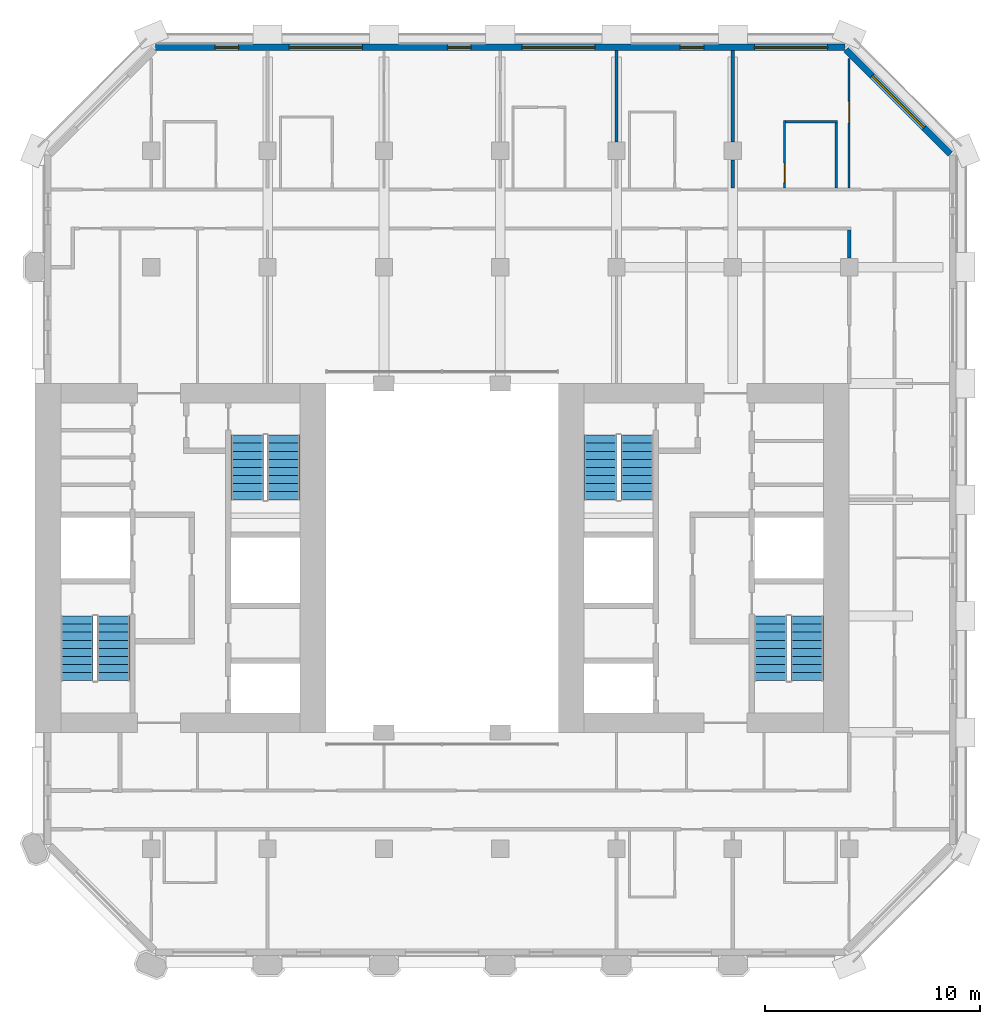
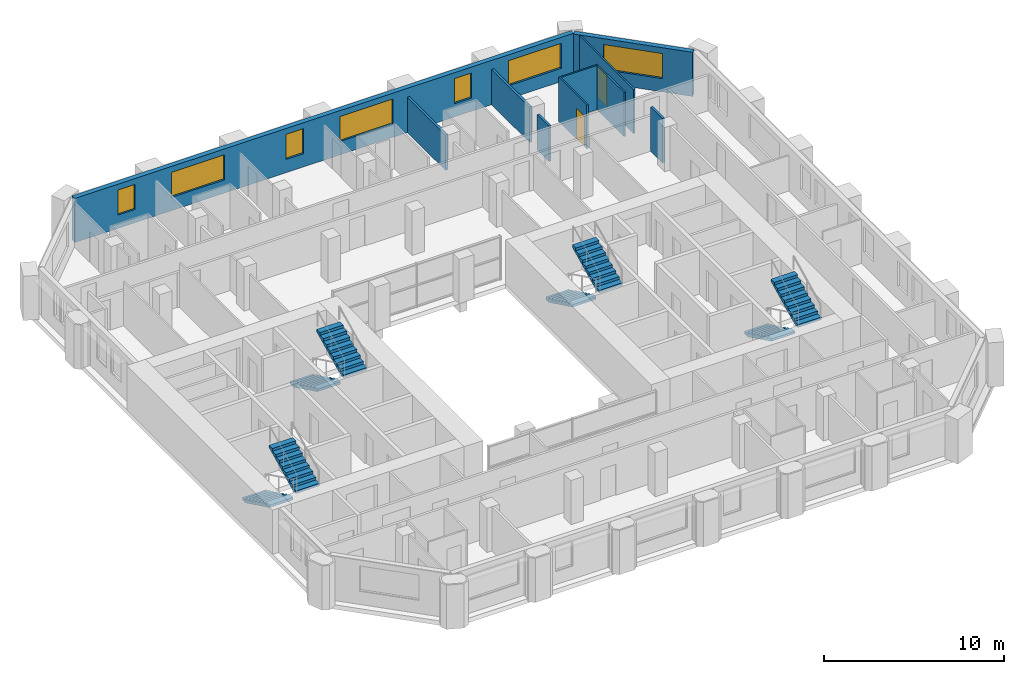
# One storey, part 9 of 12: 10 walls, 8 stair flights, 7 windows, 2 doors, 9 openings, 4 elements without a shape of their own.
"""IFC4 building model written with IfcOpenShell, lengths in metres."""

from ifc_helpers import new_model, si_unit, direction, frame, frame_2d, origin, place, context, subcontext, project, spatial, polyline, rectangle, outline, extrude, material, layer, layer_set, type_object, element, fill, aggregate, save


model = new_model("IFC4")

# Units and contexts
model_context = context("Model", 3, precision=1e-05, world=origin(), true_north=direction((0.0, 1.0)))
body_context = subcontext(model_context, "Body", "Model", "MODEL_VIEW")
ifc_project = project(units=[si_unit("LENGTHUNIT", "METRE"), si_unit("AREAUNIT", "SQUARE_METRE"), si_unit("VOLUMEUNIT", "CUBIC_METRE"), si_unit("PLANEANGLEUNIT", "RADIAN"), si_unit("MASSUNIT", "GRAM", prefix="KILO")], contexts=[model_context])

# Site, building, storey
site_placement = place(None, origin())
site = spatial("IfcSite", under=ifc_project, at=site_placement, CompositionType="ELEMENT")
building_placement = place(site_placement, origin())
building = spatial("IfcBuilding", under=site, at=building_placement, Name="Tabaq Tower and Sports Hall", CompositionType="ELEMENT")
storey_placement = place(building_placement, frame((0.0, 0.0, 193.89990234375)))
storey = spatial("IfcBuildingStorey", under=building, at=storey_placement, Name="L47", CompositionType="ELEMENT", Elevation=193.89990234375)

# Wall, opening, door
ifc_material_1 = material(Name="Gypsum board on steel studs", Category="steel")
ifc_layer_1 = layer(ifc_material_1, 0.10009765625)
ifc_layer_set_1 = layer_set([ifc_layer_1], Name="Partition 100 Gypsum board")
wall_type_1 = type_object("IfcWallType", Name="Partition 100 Gypsum board", PredefinedType="PARTITIONING", material=ifc_layer_set_1)
wall_1_placement = place(storey_placement, frame((40.199951171875, 41.47509765625, 0.0), z_axis=(0.0, 0.0, 1.0), x_axis=(0.0, 1.0, 0.0)))
wall_1 = element("IfcWall", 1, at=wall_1_placement, inside=storey, type_object=wall_type_1, Name="Partition wall L47", PredefinedType="PARTITIONING", context=body_context, shape_type="SweptSolid", body=[
    extrude(rectangle(XDim=3.125, YDim=0.10009765625, at=frame_2d((1.5625, 0.0))), origin(), (0.0, 0.0, 1.0), 3.0),
])
opening_1_placement = place(wall_1_placement, frame((0.25, 0.0, 0.0)))
opening_1 = element("IfcOpeningElement", 2, at=opening_1_placement, cuts=wall_1, Name="Opening L47-006", PredefinedType="OPENING", context=body_context, shape_type="SweptSolid", body=[
    extrude(rectangle(XDim=0.89990234375, YDim=2.10009765625, at=frame_2d((0.449951171875, 1.050048828125))), frame((0.0, 0.050048828125, 0.0), z_axis=(0.0, -1.0, 0.0), x_axis=(1.0, 0.0, 0.0)), (0.0, 0.0, 1.0), 0.10009765625),
])
ifc_material_2 = material(Name="Timber leaf in steel frame", Category="steel")
door_type_1 = type_object("IfcDoorType", Name="Internal door 900 left hand", OperationType="SINGLE_SWING_LEFT", PredefinedType="DOOR", material=ifc_material_2)
door_1_placement = place(opening_1_placement, origin())
door_1 = element("IfcDoor", 3, at=door_1_placement, inside=storey, type_object=door_type_1, Name="Internal door L47-006", OperationType="SINGLE_SWING_LEFT", OverallHeight=2.10009765625, OverallWidth=0.89990234375, PredefinedType="DOOR", context=body_context, shape_type="SweptSolid", body=[
    extrude(rectangle(XDim=0.89990234375, YDim=2.10009765625, at=frame_2d((0.449951171875, 1.050048828125))), frame((0.0, 0.02490234375, 0.0), z_axis=(0.0, -1.0, 0.0), x_axis=(1.0, 0.0, 0.0)), (0.0, 0.0, 1.0), 0.050048828125),
])
fill(opening_1, door_1)

# Walls
wall_2_placement = place(storey_placement, frame((40.25, 44.550048828125, 0.0), z_axis=(0.0, 0.0, 1.0), x_axis=(1.0, 0.0, 0.0)))
element("IfcWall", 4, at=wall_2_placement, inside=storey, type_object=wall_type_1, Name="Partition wall L47", PredefinedType="PARTITIONING", context=body_context, shape_type="SweptSolid", body=[
    extrude(rectangle(XDim=2.39990234375, YDim=0.10009765625, at=frame_2d((1.199951171875, 0.0))), origin(), (0.0, 0.0, 1.0), 3.0),
])
wall_3_placement = place(storey_placement, frame((42.60009765625, 44.5, 0.0), z_axis=(0.0, 0.0, 1.0), x_axis=(0.0, -1.0, 0.0)))
element("IfcWall", 5, at=wall_3_placement, inside=storey, type_object=wall_type_1, Name="Partition wall L47", PredefinedType="PARTITIONING", context=body_context, shape_type="SweptSolid", body=[
    extrude(rectangle(XDim=3.02490234375, YDim=0.10009765625, at=frame_2d((1.512451171875, 0.0))), origin(), (0.0, 0.0, 1.0), 3.0),
])

# Wall, opening, door
wall_4_placement = place(storey_placement, frame((43.199951171875, 41.47509765625, 0.0), z_axis=(0.0, 0.0, 1.0), x_axis=(0.0, 1.0, 0.0)))
wall_4 = element("IfcWall", 6, at=wall_4_placement, inside=storey, type_object=wall_type_1, Name="Partition wall L47", PredefinedType="PARTITIONING", context=body_context, shape_type="SweptSolid", body=[
    extrude(rectangle(XDim=6.0126953125, YDim=0.10009765625, at=frame_2d((3.00634765625, 0.0))), origin(), (0.0, 0.0, 1.0), 3.0),
])
opening_2_placement = place(wall_4_placement, frame((3.02490234375, 0.0, 0.0)))
opening_2 = element("IfcOpeningElement", 7, at=opening_2_placement, cuts=wall_4, Name="Opening L47-030", PredefinedType="OPENING", context=body_context, shape_type="SweptSolid", body=[
    extrude(rectangle(XDim=1.0, YDim=2.10009765625, at=frame_2d((0.5, 1.050048828125))), frame((0.0, 0.050048828125, 0.0), z_axis=(0.0, -1.0, 0.0), x_axis=(1.0, 0.0, 0.0)), (0.0, 0.0, 1.0), 0.10009765625),
])
ifc_material_3 = material(Name="Timber leaf in steel frame", Category="steel")
door_type_2 = type_object("IfcDoorType", Name="Internal door 1000 left hand", OperationType="SINGLE_SWING_LEFT", PredefinedType="DOOR", material=ifc_material_3)
door_2_placement = place(opening_2_placement, origin())
door_2 = element("IfcDoor", 8, at=door_2_placement, inside=storey, type_object=door_type_2, Name="Internal door L47-030", OperationType="SINGLE_SWING_LEFT", OverallHeight=2.10009765625, OverallWidth=1.0, PredefinedType="DOOR", context=body_context, shape_type="SweptSolid", body=[
    extrude(rectangle(XDim=1.0, YDim=2.10009765625, at=frame_2d((0.5, 1.050048828125))), frame((0.0, 0.02490234375, 0.0), z_axis=(0.0, -1.0, 0.0), x_axis=(1.0, 0.0, 0.0)), (0.0, 0.0, 1.0), 0.050048828125),
])
fill(opening_2, door_2)

# Walls
ifc_material_4 = material(Name="Blockwork", Category="masonry")
ifc_layer_2 = layer(ifc_material_4, 0.14990234375)
ifc_layer_set_2 = layer_set([ifc_layer_2], Name="Separating wall 150 Blockwork")
wall_type_2 = type_object("IfcWallType", Name="Separating wall 150 Blockwork", PredefinedType="PARTITIONING", material=ifc_layer_set_2)
wall_5_placement = place(storey_placement, frame((32.39990234375, 43.6201171875, 0.0), z_axis=(0.0, 0.0, 1.0), x_axis=(0.0, 1.0, 0.0)))
element("IfcWall", 9, at=wall_5_placement, inside=storey, type_object=wall_type_2, Name="Separating wall L47", PredefinedType="PARTITIONING", context=body_context, shape_type="SweptSolid", body=[
    extrude(rectangle(XDim=4.22900390625, YDim=0.14990234375, at=frame_2d((2.114501953125, 0.0))), origin(), (0.0, 0.0, 1.0), 2.400146484375),
])
wall_6_placement = place(storey_placement, frame((37.800048828125, 41.47509765625, 0.0), z_axis=(0.0, 0.0, 1.0), x_axis=(0.0, 1.0, 0.0)))
element("IfcWall", 10, at=wall_6_placement, inside=storey, type_object=wall_type_2, Name="Separating wall L47", PredefinedType="PARTITIONING", context=body_context, shape_type="SweptSolid", body=[
    extrude(rectangle(XDim=1.304931640625, YDim=0.14990234375, at=frame_2d((0.65234375, 0.0))), origin(), (0.0, 0.0, 1.0), 2.400146484375),
])
wall_7_placement = place(storey_placement, frame((37.800048828125, 43.6201171875, 0.0), z_axis=(0.0, 0.0, 1.0), x_axis=(0.0, 1.0, 0.0)))
element("IfcWall", 11, at=wall_7_placement, inside=storey, type_object=wall_type_2, Name="Separating wall L47", PredefinedType="PARTITIONING", context=body_context, shape_type="SweptSolid", body=[
    extrude(rectangle(XDim=4.22900390625, YDim=0.14990234375, at=frame_2d((2.114501953125, 0.0))), origin(), (0.0, 0.0, 1.0), 2.400146484375),
])
wall_8_placement = place(storey_placement, frame((43.199951171875, 39.52490234375, 0.0), z_axis=(0.0, 0.0, 1.0), x_axis=(0.0, -1.0, 0.0)))
element("IfcWall", 12, at=wall_8_placement, inside=storey, type_object=wall_type_2, Name="Separating wall L47", PredefinedType="PARTITIONING", context=body_context, shape_type="SweptSolid", body=[
    extrude(rectangle(XDim=1.304931640625, YDim=0.14990234375, at=frame_2d((0.65234375, 0.0))), origin(), (0.0, 0.0, 1.0), 3.0),
])

# Wall, opening, window
ifc_material_5 = material(Name="White precast concrete C60/75", Category="concrete")
ifc_layer_3 = layer(ifc_material_5, 0.300048828125)
ifc_layer_set_3 = layer_set([ifc_layer_3], Name="White precast concrete C60/75 external wall 300")
wall_type_3 = type_object("IfcWallType", Name="White precast concrete C60/75 external wall 300", PredefinedType="SOLIDWALL", material=ifc_layer_set_3)
wall_9_placement = place(storey_placement, frame((47.901123046875, 43.050537109375, 0.0), z_axis=(0.0, 0.0, 1.0), x_axis=(-0.707106781187, 0.707106781187, 0.0)))
wall_9 = element("IfcWall", 13, at=wall_9_placement, inside=storey, type_object=wall_type_3, Name="External Wall L47 NE", PredefinedType="SOLIDWALL", context=body_context, shape_type="SweptSolid", body=[
    extrude(rectangle(XDim=6.85986328125, YDim=0.300048828125, at=frame_2d((3.429931640625, 0.0))), origin(), (0.0, 0.0, 1.0), 3.0),
])
opening_3_placement = place(wall_9_placement, frame((1.729736328125, 0.0, 0.89990234375)))
opening_3 = element("IfcOpeningElement", 14, at=opening_3_placement, cuts=wall_9, Name="Opening W1A", PredefinedType="OPENING", context=body_context, shape_type="SweptSolid", body=[
    extrude(rectangle(XDim=3.39990234375, YDim=1.699951171875, at=frame_2d((1.699951171875, 0.85009765625))), frame((0.0, 0.16015625, 0.0), z_axis=(0.0, -1.0, 0.0), x_axis=(1.0, 0.0, 0.0)), (0.0, 0.0, 1.0), 0.320068359375),
])
ifc_material_6 = material(Name="Aluminium framed clear glazing", Category="aluminium")
window_type_1 = type_object("IfcWindowType", Name="Window W1A", PartitioningType="SINGLE_PANEL", PredefinedType="WINDOW", material=ifc_material_6)
window_1_placement = place(opening_3_placement, origin())
window_1 = element("IfcWindow", 15, at=window_1_placement, inside=storey, type_object=window_type_1, Name="Window W1A L47", OverallHeight=1.699951171875, OverallWidth=3.39990234375, PartitioningType="SINGLE_PANEL", PredefinedType="WINDOW", context=body_context, shape_type="SweptSolid", body=[
    extrude(rectangle(XDim=3.39990234375, YDim=1.699951171875, at=frame_2d((1.699951171875, 0.85009765625))), frame((0.0, 0.030029296875, 0.0), z_axis=(0.0, -1.0, 0.0), x_axis=(1.0, 0.0, 0.0)), (0.0, 0.0, 1.0), 0.06005859375),
])
fill(opening_3, window_1)

# Wall, openings, windows
wall_10_placement = place(storey_placement, frame((43.013671875, 48.0, 0.0), z_axis=(0.0, 0.0, 1.0), x_axis=(-1.0, 0.0, 0.0)))
wall_10 = element("IfcWall", 16, at=wall_10_placement, inside=storey, type_object=wall_type_3, Name="External Wall L47 N", PredefinedType="SOLIDWALL", context=body_context, shape_type="SweptSolid", body=[
    extrude(rectangle(XDim=32.02734375, YDim=0.300048828125, at=frame_2d((16.013671875, 0.0))), origin(), (0.0, 0.0, 1.0), 3.0),
])
opening_4_placement = place(wall_10_placement, frame((0.813720703125, 0.0, 0.89990234375)))
opening_4 = element("IfcOpeningElement", 17, at=opening_4_placement, cuts=wall_10, Name="Opening W1A", PredefinedType="OPENING", context=body_context, shape_type="SweptSolid", body=[
    extrude(rectangle(XDim=3.39990234375, YDim=1.699951171875, at=frame_2d((1.699951171875, 0.85009765625))), frame((0.0, 0.16015625, 0.0), z_axis=(0.0, -1.0, 0.0), x_axis=(1.0, 0.0, 0.0)), (0.0, 0.0, 1.0), 0.320068359375),
])
opening_5_placement = place(wall_10_placement, frame((6.563720703125, 0.0, 0.89990234375)))
opening_5 = element("IfcOpeningElement", 18, at=opening_5_placement, cuts=wall_10, Name="Opening W1B", PredefinedType="OPENING", context=body_context, shape_type="SweptSolid", body=[
    extrude(rectangle(XDim=1.10009765625, YDim=1.699951171875, at=frame_2d((0.550048828125, 0.85009765625))), frame((0.0, 0.16015625, 0.0), z_axis=(0.0, -1.0, 0.0), x_axis=(1.0, 0.0, 0.0)), (0.0, 0.0, 1.0), 0.320068359375),
])
opening_6_placement = place(wall_10_placement, frame((11.613525390625, 0.0, 0.89990234375)))
opening_6 = element("IfcOpeningElement", 19, at=opening_6_placement, cuts=wall_10, Name="Opening W1A", PredefinedType="OPENING", context=body_context, shape_type="SweptSolid", body=[
    extrude(rectangle(XDim=3.39990234375, YDim=1.699951171875, at=frame_2d((1.699951171875, 0.85009765625))), frame((0.0, 0.16015625, 0.0), z_axis=(0.0, -1.0, 0.0), x_axis=(1.0, 0.0, 0.0)), (0.0, 0.0, 1.0), 0.320068359375),
])
opening_7_placement = place(wall_10_placement, frame((17.363525390625, 0.0, 0.89990234375)))
opening_7 = element("IfcOpeningElement", 20, at=opening_7_placement, cuts=wall_10, Name="Opening W1B", PredefinedType="OPENING", context=body_context, shape_type="SweptSolid", body=[
    extrude(rectangle(XDim=1.10009765625, YDim=1.699951171875, at=frame_2d((0.550048828125, 0.85009765625))), frame((0.0, 0.16015625, 0.0), z_axis=(0.0, -1.0, 0.0), x_axis=(1.0, 0.0, 0.0)), (0.0, 0.0, 1.0), 0.320068359375),
])
opening_8_placement = place(wall_10_placement, frame((22.41357421875, 0.0, 0.89990234375)))
opening_8 = element("IfcOpeningElement", 21, at=opening_8_placement, cuts=wall_10, Name="Opening W1A", PredefinedType="OPENING", context=body_context, shape_type="SweptSolid", body=[
    extrude(rectangle(XDim=3.39990234375, YDim=1.699951171875, at=frame_2d((1.699951171875, 0.85009765625))), frame((0.0, 0.16015625, 0.0), z_axis=(0.0, -1.0, 0.0), x_axis=(1.0, 0.0, 0.0)), (0.0, 0.0, 1.0), 0.320068359375),
])
opening_9_placement = place(wall_10_placement, frame((28.16357421875, 0.0, 0.89990234375)))
opening_9 = element("IfcOpeningElement", 22, at=opening_9_placement, cuts=wall_10, Name="Opening W1B", PredefinedType="OPENING", context=body_context, shape_type="SweptSolid", body=[
    extrude(rectangle(XDim=1.10009765625, YDim=1.699951171875, at=frame_2d((0.550048828125, 0.85009765625))), frame((0.0, 0.16015625, 0.0), z_axis=(0.0, -1.0, 0.0), x_axis=(1.0, 0.0, 0.0)), (0.0, 0.0, 1.0), 0.320068359375),
])
window_2_placement = place(opening_4_placement, origin())
window_2 = element("IfcWindow", 23, at=window_2_placement, inside=storey, type_object=window_type_1, Name="Window W1A L47", OverallHeight=1.699951171875, OverallWidth=3.39990234375, PartitioningType="SINGLE_PANEL", PredefinedType="WINDOW", context=body_context, shape_type="SweptSolid", body=[
    extrude(rectangle(XDim=3.39990234375, YDim=1.699951171875, at=frame_2d((1.699951171875, 0.85009765625))), frame((0.0, 0.030029296875, 0.0), z_axis=(0.0, -1.0, 0.0), x_axis=(1.0, 0.0, 0.0)), (0.0, 0.0, 1.0), 0.06005859375),
])
fill(opening_4, window_2)
window_3_placement = place(opening_6_placement, origin())
window_3 = element("IfcWindow", 24, at=window_3_placement, inside=storey, type_object=window_type_1, Name="Window W1A L47", OverallHeight=1.699951171875, OverallWidth=3.39990234375, PartitioningType="SINGLE_PANEL", PredefinedType="WINDOW", context=body_context, shape_type="SweptSolid", body=[
    extrude(rectangle(XDim=3.39990234375, YDim=1.699951171875, at=frame_2d((1.699951171875, 0.85009765625))), frame((0.0, 0.030029296875, 0.0), z_axis=(0.0, -1.0, 0.0), x_axis=(1.0, 0.0, 0.0)), (0.0, 0.0, 1.0), 0.06005859375),
])
fill(opening_6, window_3)
window_4_placement = place(opening_8_placement, origin())
window_4 = element("IfcWindow", 25, at=window_4_placement, inside=storey, type_object=window_type_1, Name="Window W1A L47", OverallHeight=1.699951171875, OverallWidth=3.39990234375, PartitioningType="SINGLE_PANEL", PredefinedType="WINDOW", context=body_context, shape_type="SweptSolid", body=[
    extrude(rectangle(XDim=3.39990234375, YDim=1.699951171875, at=frame_2d((1.699951171875, 0.85009765625))), frame((0.0, 0.030029296875, 0.0), z_axis=(0.0, -1.0, 0.0), x_axis=(1.0, 0.0, 0.0)), (0.0, 0.0, 1.0), 0.06005859375),
])
fill(opening_8, window_4)
ifc_material_7 = material(Name="Aluminium framed clear glazing", Category="aluminium")
window_type_2 = type_object("IfcWindowType", Name="Window W1B", PartitioningType="SINGLE_PANEL", PredefinedType="WINDOW", material=ifc_material_7)
window_5_placement = place(opening_5_placement, origin())
window_5 = element("IfcWindow", 26, at=window_5_placement, inside=storey, type_object=window_type_2, Name="Window W1B L47", OverallHeight=1.699951171875, OverallWidth=1.10009765625, PartitioningType="SINGLE_PANEL", PredefinedType="WINDOW", context=body_context, shape_type="SweptSolid", body=[
    extrude(rectangle(XDim=1.10009765625, YDim=1.699951171875, at=frame_2d((0.550048828125, 0.85009765625))), frame((0.0, 0.030029296875, 0.0), z_axis=(0.0, -1.0, 0.0), x_axis=(1.0, 0.0, 0.0)), (0.0, 0.0, 1.0), 0.06005859375),
])
fill(opening_5, window_5)
window_6_placement = place(opening_7_placement, origin())
window_6 = element("IfcWindow", 27, at=window_6_placement, inside=storey, type_object=window_type_2, Name="Window W1B L47", OverallHeight=1.699951171875, OverallWidth=1.10009765625, PartitioningType="SINGLE_PANEL", PredefinedType="WINDOW", context=body_context, shape_type="SweptSolid", body=[
    extrude(rectangle(XDim=1.10009765625, YDim=1.699951171875, at=frame_2d((0.550048828125, 0.85009765625))), frame((0.0, 0.030029296875, 0.0), z_axis=(0.0, -1.0, 0.0), x_axis=(1.0, 0.0, 0.0)), (0.0, 0.0, 1.0), 0.06005859375),
])
fill(opening_7, window_6)
window_7_placement = place(opening_9_placement, origin())
window_7 = element("IfcWindow", 28, at=window_7_placement, inside=storey, type_object=window_type_2, Name="Window W1B L47", OverallHeight=1.699951171875, OverallWidth=1.10009765625, PartitioningType="SINGLE_PANEL", PredefinedType="WINDOW", context=body_context, shape_type="SweptSolid", body=[
    extrude(rectangle(XDim=1.10009765625, YDim=1.699951171875, at=frame_2d((0.550048828125, 0.85009765625))), frame((0.0, 0.030029296875, 0.0), z_axis=(0.0, -1.0, 0.0), x_axis=(1.0, 0.0, 0.0)), (0.0, 0.0, 1.0), 0.06005859375),
])
fill(opening_9, window_7)

# Stair, stair flights
ifc_material_8 = material(Name="Concrete C40/50", Category="concrete")
stair_type = type_object("IfcStairType", Name="Exit stair", PredefinedType="HALF_TURN_STAIR", material=ifc_material_8)
stair_1_placement = place(storey_placement, origin())
stair_1 = element("IfcStair", 29, at=stair_1_placement, inside=storey, type_object=stair_type, Name="L47 Exit stair ST1", PredefinedType="HALF_TURN_STAIR")
ifc_material_9 = material(Name="Concrete C40/50", Category="concrete")
stair_flight_type = type_object("IfcStairFlightType", Name="Exit stair flight", PredefinedType="STRAIGHT", material=ifc_material_9)
stair_flight_1_placement = place(storey_placement, frame((7.35009765625, 21.60009765625, 0.0), z_axis=(0.0, 0.0, 1.0), x_axis=(0.0, -1.0, 0.0)))
stair_flight_1 = element("IfcStairFlight", 30, at=stair_flight_1_placement, type_object=stair_flight_type, Name="ST1 flight 1", NumberOfRisers=9, NumberOfTreads=8, PredefinedType="STRAIGHT", RiserHeight=0.183333333, TreadLength=0.375, context=body_context, shape_type="SweptSolid", body=[
    extrude(outline(polyline([(0.0, 0.0), (0.0, 0.183349609375), (0.375, 0.183349609375), (0.375, 0.36669921875), (0.75, 0.36669921875), (0.75, 0.550048828125), (1.125, 0.550048828125), (1.125, 0.7333984375), (1.5, 0.7333984375), (1.5, 0.916748046875), (1.875, 0.916748046875), (1.875, 1.10009765625), (2.25, 1.10009765625), (2.25, 1.283447265625), (2.625, 1.283447265625), (2.625, 1.466552734375), (3.0, 1.466552734375), (3.0, 1.64990234375), (3.0, 1.2998046875), (0.34130859375, 0.0), (0.0, 0.0)])), frame((0.0, 0.75, 0.0), z_axis=(0.0, -1.0, 0.0), x_axis=(1.0, 0.0, 0.0)), (0.0, 0.0, 1.0), 1.5),
])
stair_flight_2_placement = place(storey_placement, frame((9.050048828125, 18.60009765625, 1.650146484375), z_axis=(0.0, 0.0, 1.0), x_axis=(0.0, 1.0, 0.0)))
stair_flight_2 = element("IfcStairFlight", 31, at=stair_flight_2_placement, type_object=stair_flight_type, Name="ST1 flight 2", NumberOfRisers=9, NumberOfTreads=8, PredefinedType="STRAIGHT", RiserHeight=0.183333333, TreadLength=0.375, context=body_context, shape_type="SweptSolid", body=[
    extrude(outline(polyline([(0.0, 0.0), (0.0, 0.183349609375), (0.375, 0.183349609375), (0.375, 0.36669921875), (0.75, 0.36669921875), (0.75, 0.550048828125), (1.125, 0.550048828125), (1.125, 0.7333984375), (1.5, 0.7333984375), (1.5, 0.916748046875), (1.875, 0.916748046875), (1.875, 1.10009765625), (2.25, 1.10009765625), (2.25, 1.283447265625), (2.625, 1.283447265625), (2.625, 1.466552734375), (3.0, 1.466552734375), (3.0, 1.64990234375), (3.0, 1.2998046875), (0.34130859375, 0.0), (0.0, 0.0)])), frame((0.0, 0.75, 0.0), z_axis=(0.0, -1.0, 0.0), x_axis=(1.0, 0.0, 0.0)), (0.0, 0.0, 1.0), 1.5),
])
aggregate(stair_1, [stair_flight_1, stair_flight_2])

stair_2_placement = place(storey_placement, origin())
stair_2 = element("IfcStair", 32, at=stair_2_placement, inside=storey, type_object=stair_type, Name="L47 Exit stair ST2", PredefinedType="HALF_TURN_STAIR")
stair_flight_3_placement = place(storey_placement, frame((15.25, 30.0, 0.0), z_axis=(0.0, 0.0, 1.0), x_axis=(0.0, -1.0, 0.0)))
stair_flight_3 = element("IfcStairFlight", 33, at=stair_flight_3_placement, type_object=stair_flight_type, Name="ST2 flight 1", NumberOfRisers=9, NumberOfTreads=8, PredefinedType="STRAIGHT", RiserHeight=0.183333333, TreadLength=0.375, context=body_context, shape_type="SweptSolid", body=[
    extrude(outline(polyline([(0.0, 0.0), (0.0, 0.183349609375), (0.375, 0.183349609375), (0.375, 0.36669921875), (0.75, 0.36669921875), (0.75, 0.550048828125), (1.125, 0.550048828125), (1.125, 0.7333984375), (1.5, 0.7333984375), (1.5, 0.916748046875), (1.875, 0.916748046875), (1.875, 1.10009765625), (2.25, 1.10009765625), (2.25, 1.283447265625), (2.625, 1.283447265625), (2.625, 1.466552734375), (3.0, 1.466552734375), (3.0, 1.64990234375), (3.0, 1.2998046875), (0.34130859375, 0.0), (0.0, 0.0)])), frame((0.0, 0.75, 0.0), z_axis=(0.0, -1.0, 0.0), x_axis=(1.0, 0.0, 0.0)), (0.0, 0.0, 1.0), 1.5),
])
stair_flight_4_placement = place(storey_placement, frame((16.949951171875, 27.0, 1.650146484375), z_axis=(0.0, 0.0, 1.0), x_axis=(0.0, 1.0, 0.0)))
stair_flight_4 = element("IfcStairFlight", 34, at=stair_flight_4_placement, type_object=stair_flight_type, Name="ST2 flight 2", NumberOfRisers=9, NumberOfTreads=8, PredefinedType="STRAIGHT", RiserHeight=0.183333333, TreadLength=0.375, context=body_context, shape_type="SweptSolid", body=[
    extrude(outline(polyline([(0.0, 0.0), (0.0, 0.183349609375), (0.375, 0.183349609375), (0.375, 0.36669921875), (0.75, 0.36669921875), (0.75, 0.550048828125), (1.125, 0.550048828125), (1.125, 0.7333984375), (1.5, 0.7333984375), (1.5, 0.916748046875), (1.875, 0.916748046875), (1.875, 1.10009765625), (2.25, 1.10009765625), (2.25, 1.283447265625), (2.625, 1.283447265625), (2.625, 1.466552734375), (3.0, 1.466552734375), (3.0, 1.64990234375), (3.0, 1.2998046875), (0.34130859375, 0.0), (0.0, 0.0)])), frame((0.0, 0.75, 0.0), z_axis=(0.0, -1.0, 0.0), x_axis=(1.0, 0.0, 0.0)), (0.0, 0.0, 1.0), 1.5),
])
aggregate(stair_2, [stair_flight_3, stair_flight_4])

stair_3_placement = place(storey_placement, origin())
stair_3 = element("IfcStair", 35, at=stair_3_placement, inside=storey, type_object=stair_type, Name="L47 Exit stair ST3", PredefinedType="HALF_TURN_STAIR")
stair_flight_5_placement = place(storey_placement, frame((39.550048828125, 21.60009765625, 0.0), z_axis=(0.0, 0.0, 1.0), x_axis=(0.0, -1.0, 0.0)))
stair_flight_5 = element("IfcStairFlight", 36, at=stair_flight_5_placement, type_object=stair_flight_type, Name="ST3 flight 1", NumberOfRisers=9, NumberOfTreads=8, PredefinedType="STRAIGHT", RiserHeight=0.183333333, TreadLength=0.375, context=body_context, shape_type="SweptSolid", body=[
    extrude(outline(polyline([(0.0, 0.0), (0.0, 0.183349609375), (0.375, 0.183349609375), (0.375, 0.36669921875), (0.75, 0.36669921875), (0.75, 0.550048828125), (1.125, 0.550048828125), (1.125, 0.7333984375), (1.5, 0.7333984375), (1.5, 0.916748046875), (1.875, 0.916748046875), (1.875, 1.10009765625), (2.25, 1.10009765625), (2.25, 1.283447265625), (2.625, 1.283447265625), (2.625, 1.466552734375), (3.0, 1.466552734375), (3.0, 1.64990234375), (3.0, 1.2998046875), (0.34130859375, 0.0), (0.0, 0.0)])), frame((0.0, 0.75, 0.0), z_axis=(0.0, -1.0, 0.0), x_axis=(1.0, 0.0, 0.0)), (0.0, 0.0, 1.0), 1.5),
])
stair_flight_6_placement = place(storey_placement, frame((41.25, 18.60009765625, 1.650146484375), z_axis=(0.0, 0.0, 1.0), x_axis=(0.0, 1.0, 0.0)))
stair_flight_6 = element("IfcStairFlight", 37, at=stair_flight_6_placement, type_object=stair_flight_type, Name="ST3 flight 2", NumberOfRisers=9, NumberOfTreads=8, PredefinedType="STRAIGHT", RiserHeight=0.183333333, TreadLength=0.375, context=body_context, shape_type="SweptSolid", body=[
    extrude(outline(polyline([(0.0, 0.0), (0.0, 0.183349609375), (0.375, 0.183349609375), (0.375, 0.36669921875), (0.75, 0.36669921875), (0.75, 0.550048828125), (1.125, 0.550048828125), (1.125, 0.7333984375), (1.5, 0.7333984375), (1.5, 0.916748046875), (1.875, 0.916748046875), (1.875, 1.10009765625), (2.25, 1.10009765625), (2.25, 1.283447265625), (2.625, 1.283447265625), (2.625, 1.466552734375), (3.0, 1.466552734375), (3.0, 1.64990234375), (3.0, 1.2998046875), (0.34130859375, 0.0), (0.0, 0.0)])), frame((0.0, 0.75, 0.0), z_axis=(0.0, -1.0, 0.0), x_axis=(1.0, 0.0, 0.0)), (0.0, 0.0, 1.0), 1.5),
])
aggregate(stair_3, [stair_flight_5, stair_flight_6])

stair_4_placement = place(storey_placement, origin())
stair_4 = element("IfcStair", 38, at=stair_4_placement, inside=storey, type_object=stair_type, Name="L47 Exit stair ST4", PredefinedType="HALF_TURN_STAIR")
stair_flight_7_placement = place(storey_placement, frame((31.64990234375, 30.0, 0.0), z_axis=(0.0, 0.0, 1.0), x_axis=(0.0, -1.0, 0.0)))
stair_flight_7 = element("IfcStairFlight", 39, at=stair_flight_7_placement, type_object=stair_flight_type, Name="ST4 flight 1", NumberOfRisers=9, NumberOfTreads=8, PredefinedType="STRAIGHT", RiserHeight=0.183333333, TreadLength=0.375, context=body_context, shape_type="SweptSolid", body=[
    extrude(outline(polyline([(0.0, 0.0), (0.0, 0.183349609375), (0.375, 0.183349609375), (0.375, 0.36669921875), (0.75, 0.36669921875), (0.75, 0.550048828125), (1.125, 0.550048828125), (1.125, 0.7333984375), (1.5, 0.7333984375), (1.5, 0.916748046875), (1.875, 0.916748046875), (1.875, 1.10009765625), (2.25, 1.10009765625), (2.25, 1.283447265625), (2.625, 1.283447265625), (2.625, 1.466552734375), (3.0, 1.466552734375), (3.0, 1.64990234375), (3.0, 1.2998046875), (0.34130859375, 0.0), (0.0, 0.0)])), frame((0.0, 0.75, 0.0), z_axis=(0.0, -1.0, 0.0), x_axis=(1.0, 0.0, 0.0)), (0.0, 0.0, 1.0), 1.5),
])
stair_flight_8_placement = place(storey_placement, frame((33.35009765625, 27.0, 1.650146484375), z_axis=(0.0, 0.0, 1.0), x_axis=(0.0, 1.0, 0.0)))
stair_flight_8 = element("IfcStairFlight", 40, at=stair_flight_8_placement, type_object=stair_flight_type, Name="ST4 flight 2", NumberOfRisers=9, NumberOfTreads=8, PredefinedType="STRAIGHT", RiserHeight=0.183333333, TreadLength=0.375, context=body_context, shape_type="SweptSolid", body=[
    extrude(outline(polyline([(0.0, 0.0), (0.0, 0.183349609375), (0.375, 0.183349609375), (0.375, 0.36669921875), (0.75, 0.36669921875), (0.75, 0.550048828125), (1.125, 0.550048828125), (1.125, 0.7333984375), (1.5, 0.7333984375), (1.5, 0.916748046875), (1.875, 0.916748046875), (1.875, 1.10009765625), (2.25, 1.10009765625), (2.25, 1.283447265625), (2.625, 1.283447265625), (2.625, 1.466552734375), (3.0, 1.466552734375), (3.0, 1.64990234375), (3.0, 1.2998046875), (0.34130859375, 0.0), (0.0, 0.0)])), frame((0.0, 0.75, 0.0), z_axis=(0.0, -1.0, 0.0), x_axis=(1.0, 0.0, 0.0)), (0.0, 0.0, 1.0), 1.5),
])
aggregate(stair_4, [stair_flight_7, stair_flight_8])

save(model, "model.ifc")
